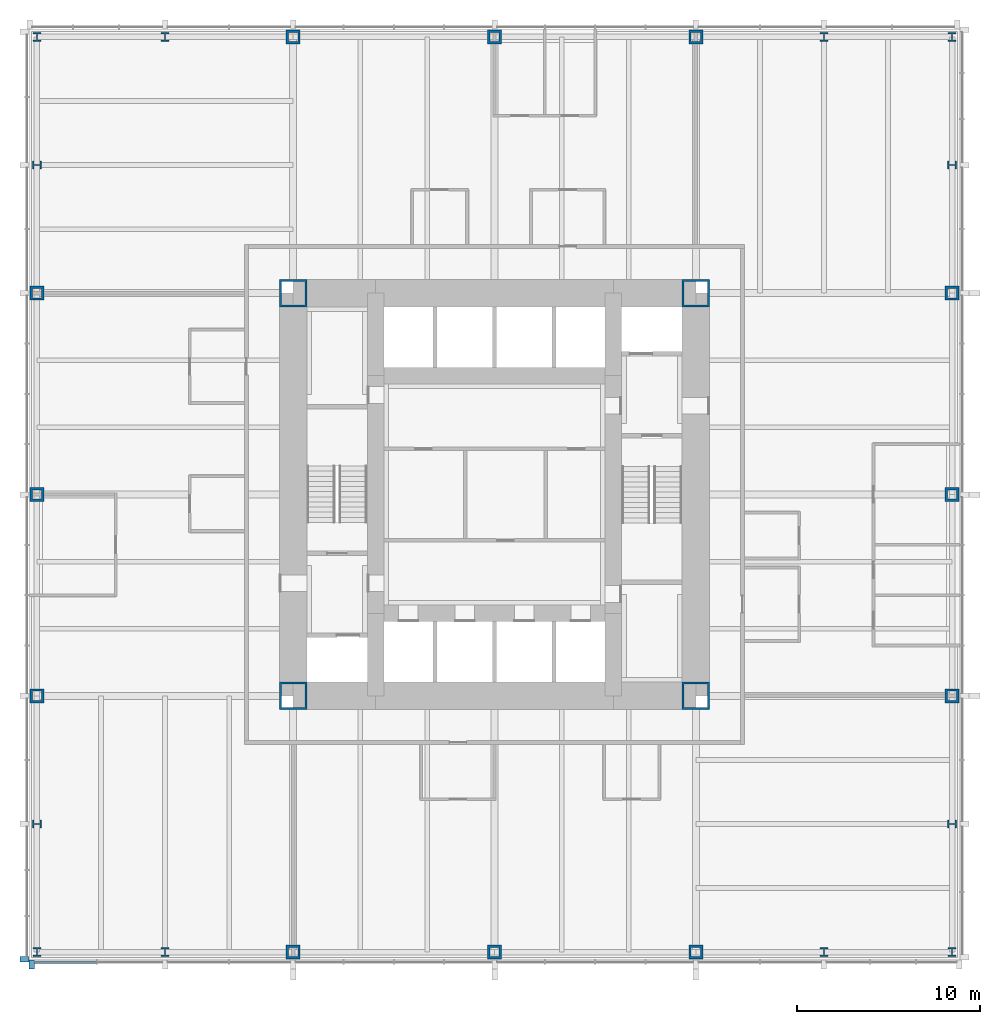
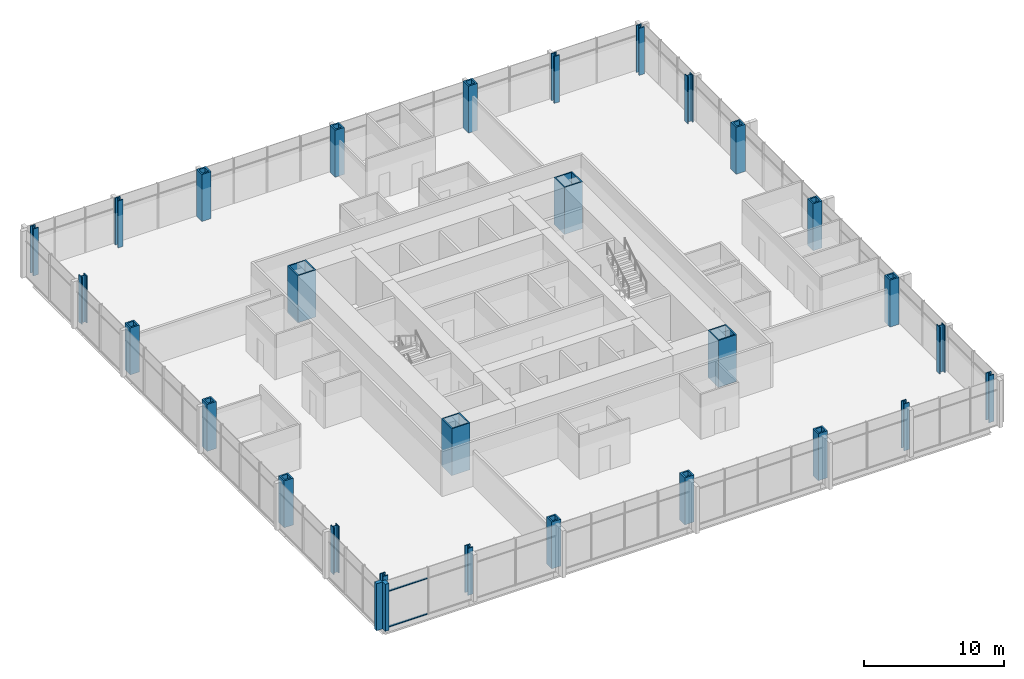
# One storey, part 1 of 12: 28 columns, 4 members, 2 elements without a shape of their own.
"""IFC4 building model written with IfcOpenShell, lengths in metres."""

from ifc_helpers import new_model, si_unit, direction, frame, origin, origin_2d, place, context, subcontext, project, spatial, rectangle, hollow_rectangle, i_section, extrude, material, material_profile, profile_set, type_object, element, aggregate, save


model = new_model("IFC4")

# Units and contexts
model_context = context("Model", 3, precision=1e-05, world=origin(), true_north=direction((0.0, 1.0)))
body_context = subcontext(model_context, "Body", "Model", "MODEL_VIEW")
ifc_project = project(units=[si_unit("LENGTHUNIT", "METRE"), si_unit("AREAUNIT", "SQUARE_METRE"), si_unit("VOLUMEUNIT", "CUBIC_METRE"), si_unit("PLANEANGLEUNIT", "RADIAN"), si_unit("MASSUNIT", "GRAM", prefix="KILO")], contexts=[model_context])

# Site, building, storey
site_placement = place(None, origin())
site = spatial("IfcSite", under=ifc_project, at=site_placement, CompositionType="ELEMENT")
building_placement = place(site_placement, origin())
building = spatial("IfcBuilding", under=site, at=building_placement, Name="Trevanion Tower", CompositionType="ELEMENT")
storey_placement = place(building_placement, frame((0.0, 0.0, 28.300048828125)))
storey = spatial("IfcBuildingStorey", under=building, at=storey_placement, Name="L06", CompositionType="ELEMENT", Elevation=28.300048828125)

# Columns
ifc_material_1 = material(Name="Steel ASTM A588 Grade 50", Category="steel")
ifc_material_profile_1 = material_profile(ifc_material_1, hollow_rectangle(XDim=0.761962890625, YDim=0.761962890625, WallThickness=0.126953125, at=origin_2d()), Name="BOX30X30X5")
ifc_profile_set_1 = profile_set([ifc_material_profile_1], Name="Steel ASTM A588 Grade 50")
column_type_1 = type_object("IfcColumnType", Name="C1 BOX30X30X5", PredefinedType="COLUMN", material=ifc_profile_set_1)
for number, where, z_axis, x_axis, name in (
    (1, (-25.0, 0.0, 0.0), (0.0, 0.0, 1.0), (0.0, 1.0, 0.0), "C1 3/H L06"),
    (2, (-25.0, -11.0, 0.0), (0.0, 0.0, 1.0), (0.0, 1.0, 0.0), "C1 3/F L06"),
    (3, (-11.0, -25.0, 0.0), (0.0, 0.0, 1.0), (1.0, 0.0, 0.0), "C1 8/A L06"),
    (4, (0.0, -25.0, 0.0), (0.0, 0.0, 1.0), (1.0, 0.0, 0.0), "C1 10/A L06"),
    (5, (11.0, -25.0, 0.0), (0.0, 0.0, 1.0), (1.0, 0.0, 0.0), "C1 12/A L06"),
    (6, (25.0, -11.0, 0.0), (0.0, 0.0, 1.0), (0.0, 1.0, 0.0), "C1 17/F L06"),
    (7, (25.0, 0.0, 0.0), (0.0, 0.0, 1.0), (0.0, 1.0, 0.0), "C1 17/H L06"),
    (8, (25.0, 11.0, 0.0), (0.0, 0.0, 1.0), (0.0, 1.0, 0.0), "C1 17/K L06"),
    (9, (11.0, 25.0, 0.0), (0.0, 0.0, 1.0), (1.0, 0.0, 0.0), "C1 12/Q L06"),
    (10, (0.0, 25.0, 0.0), (0.0, 0.0, 1.0), (1.0, 0.0, 0.0), "C1 10/Q L06"),
    (11, (-11.0, 25.0, 0.0), (0.0, 0.0, 1.0), (1.0, 0.0, 0.0), "C1 8/Q L06"),
    (12, (-25.0, 11.0, 0.0), (0.0, 0.0, 1.0), (0.0, 1.0, 0.0), "C1 3/K L06"),
):
    element("IfcColumn", number, at=place(storey_placement, frame(where, z_axis=z_axis, x_axis=x_axis)), inside=storey, type_object=column_type_1, Name=name, PredefinedType="COLUMN", context=body_context, shape_type="SweptSolid", body=[
        extrude(hollow_rectangle(XDim=0.761962890625, YDim=0.761962890625, WallThickness=0.126953125, at=origin_2d()), origin(), (0.0, 0.0, 1.0), 4.099853515625),
    ])
ifc_material_2 = material(Name="Steel ASTM A913 Grade 65", Category="steel")
ifc_material_profile_2 = material_profile(ifc_material_2, i_section(OverallWidth=0.4267578125, OverallDepth=0.482666015625, WebThickness=0.05126953125, FlangeThickness=0.08154296875, at=origin_2d()), Name="W14X455")
ifc_profile_set_2 = profile_set([ifc_material_profile_2], Name="Steel ASTM A913 Grade 65")
column_type_2 = type_object("IfcColumnType", Name="C2 W14X455", PredefinedType="COLUMN", material=ifc_profile_set_2)
for number, where, z_axis, x_axis, name in (
    (13, (-25.0, -18.0, 0.0), (0.0, 0.0, 1.0), (0.0, 1.0, 0.0), "C2 3/D L06"),
    (14, (-25.0, -25.0, 0.0), (0.0, 0.0, 1.0), (1.0, 0.0, 0.0), "C2 3/A L06"),
    (15, (-18.0, -25.0, 0.0), (0.0, 0.0, 1.0), (1.0, 0.0, 0.0), "C2 6/A L06"),
    (16, (18.0, -25.0, 0.0), (0.0, 0.0, 1.0), (1.0, 0.0, 0.0), "C2 14/A L06"),
    (17, (25.0, -25.0, 0.0), (0.0, 0.0, 1.0), (1.0, 0.0, 0.0), "C2 17/A L06"),
    (18, (25.0, -18.0, 0.0), (0.0, 0.0, 1.0), (0.0, 1.0, 0.0), "C2 17/D L06"),
    (19, (25.0, 18.0, 0.0), (0.0, 0.0, 1.0), (0.0, 1.0, 0.0), "C2 17/M L06"),
    (20, (25.0, 25.0, 0.0), (0.0, 0.0, 1.0), (1.0, 0.0, 0.0), "C2 17/Q L06"),
    (21, (18.0, 25.0, 0.0), (0.0, 0.0, 1.0), (1.0, 0.0, 0.0), "C2 14/Q L06"),
    (22, (-18.0, 25.0, 0.0), (0.0, 0.0, 1.0), (1.0, 0.0, 0.0), "C2 6/Q L06"),
    (23, (-25.0, 25.0, 0.0), (0.0, 0.0, 1.0), (1.0, 0.0, 0.0), "C2 3/Q L06"),
    (24, (-25.0, 18.0, 0.0), (0.0, 0.0, 1.0), (0.0, 1.0, 0.0), "C2 3/M L06"),
):
    element("IfcColumn", number, at=place(storey_placement, frame(where, z_axis=z_axis, x_axis=x_axis)), inside=storey, type_object=column_type_2, Name=name, PredefinedType="COLUMN", context=body_context, shape_type="SweptSolid", body=[
        extrude(i_section(OverallWidth=0.4267578125, OverallDepth=0.482666015625, WebThickness=0.05126953125, FlangeThickness=0.08154296875, at=origin_2d()), origin(), (0.0, 0.0, 1.0), 4.099853515625),
    ])
ifc_material_3 = material(Name="Steel ASTM A572 Grade 50", Category="steel")
ifc_material_profile_3 = material_profile(ifc_material_3, hollow_rectangle(XDim=1.49853515625, YDim=1.49853515625, WallThickness=0.1015625, at=origin_2d()), Name="BOX59X59X4")
ifc_profile_set_3 = profile_set([ifc_material_profile_3], Name="Steel ASTM A572 Grade 50")
column_type_3 = type_object("IfcColumnType", Name="CB1 BOX59X59X4", PredefinedType="COLUMN", material=ifc_profile_set_3)
for number, where, z_axis, x_axis, name in (
    (25, (11.0, 11.0, 0.0), (0.0, 0.0, 1.0), (1.0, 0.0, 0.0), "CB1 NE L06"),
    (26, (-11.0, 11.0, 0.0), (0.0, 0.0, 1.0), (1.0, 0.0, 0.0), "CB1 NW L06"),
    (27, (-11.0, -11.0, 0.0), (0.0, 0.0, 1.0), (1.0, 0.0, 0.0), "CB1 SW L06"),
    (28, (11.0, -11.0, 0.0), (0.0, 0.0, 1.0), (1.0, 0.0, 0.0), "CB1 SE L06"),
):
    element("IfcColumn", number, at=place(storey_placement, frame(where, z_axis=z_axis, x_axis=x_axis)), inside=storey, type_object=column_type_3, Name=name, PredefinedType="COLUMN", context=body_context, shape_type="SweptSolid", body=[
        extrude(hollow_rectangle(XDim=1.49853515625, YDim=1.49853515625, WallThickness=0.1015625, at=origin_2d()), origin(), (0.0, 0.0, 1.0), 4.099853515625),
    ])

# Curtain wall, member
ifc_material_4 = material(Name="Aluminium and glass", Category="aluminium")
curtain_wall_type = type_object("IfcCurtainWallType", Name="CW1 curtain wall", PredefinedType="USERDEFINED", material=ifc_material_4)
curtain_wall_1_placement = place(storey_placement, origin())
curtain_wall_1 = element("IfcCurtainWall", 29, at=curtain_wall_1_placement, inside=storey, type_object=curtain_wall_type, Name="CW1 L06 2", ObjectType="UNITISED CURTAIN WALL", PredefinedType="USERDEFINED")
ifc_material_5 = material(Name="Aluminium extrusion, anodised bronze", Category="aluminium")
ifc_material_profile_4 = material_profile(ifc_material_5, rectangle(XDim=0.300048828125, YDim=0.5, at=origin_2d()), Name="CW1 pier mullion")
ifc_profile_set_4 = profile_set([ifc_material_profile_4], Name="Aluminium extrusion, anodised bronze")
member_type_1 = type_object("IfcMemberType", Name="CW1 pier mullion", PredefinedType="MULLION", material=ifc_profile_set_4)
member_1_placement = place(storey_placement, frame((-25.675048828125, -25.39990234375, -0.18994140625), z_axis=(0.0, 0.0, 1.0), x_axis=(0.0, -1.0, 0.0)))
member_1 = element("IfcMember", 30, at=member_1_placement, type_object=member_type_1, Name="CW1 pier mullion 18", PredefinedType="MULLION", context=body_context, shape_type="SweptSolid", body=[
    extrude(rectangle(XDim=0.300048828125, YDim=0.5, at=origin_2d()), origin(), (0.0, 0.0, 1.0), 4.099853515625),
])
aggregate(curtain_wall_1, [member_1])

# Curtain wall, members
curtain_wall_2_placement = place(storey_placement, origin())
curtain_wall_2 = element("IfcCurtainWall", 31, at=curtain_wall_2_placement, inside=storey, type_object=curtain_wall_type, Name="CW1 L06 3", ObjectType="UNITISED CURTAIN WALL", PredefinedType="USERDEFINED")
member_2_placement = place(storey_placement, frame((-25.27001953125, -25.675048828125, -0.18994140625), z_axis=(0.0, 0.0, 1.0), x_axis=(1.0, 0.0, 0.0)))
member_2 = element("IfcMember", 32, at=member_2_placement, type_object=member_type_1, Name="CW1 pier mullion 1", PredefinedType="MULLION", context=body_context, shape_type="SweptSolid", body=[
    extrude(rectangle(XDim=0.300048828125, YDim=0.5, at=origin_2d()), origin(), (0.0, 0.0, 1.0), 4.099853515625),
])
ifc_material_6 = material(Name="Aluminium extrusion, anodised bronze", Category="aluminium")
ifc_material_profile_5 = material_profile(ifc_material_6, rectangle(XDim=0.14990234375, YDim=0.074951171875, at=origin_2d()), Name="CW1 transom")
ifc_profile_set_5 = profile_set([ifc_material_profile_5], Name="Aluminium extrusion, anodised bronze")
member_type_2 = type_object("IfcMemberType", Name="CW1 transom", PredefinedType="USERDEFINED", material=ifc_profile_set_5)
member_3_placement = place(storey_placement, frame((-25.1201171875, -25.550048828125, -0.152587890625), z_axis=(1.0, 0.0, 0.0), x_axis=(0.0, 1.0, 0.0)))
member_3 = element("IfcMember", 33, at=member_3_placement, type_object=member_type_2, Name="CW1 transom 1.1", ObjectType="TRANSOM", PredefinedType="USERDEFINED", context=body_context, shape_type="SweptSolid", body=[
    extrude(rectangle(XDim=0.14990234375, YDim=0.074951171875, at=origin_2d()), origin(), (0.0, 0.0, 1.0), 3.37255859375),
])
member_4_placement = place(storey_placement, frame((-25.1201171875, -25.550048828125, 2.9599609375), z_axis=(1.0, 0.0, 0.0), x_axis=(0.0, 1.0, 0.0)))
member_4 = element("IfcMember", 34, at=member_4_placement, type_object=member_type_2, Name="CW1 transom 1.2", ObjectType="TRANSOM", PredefinedType="USERDEFINED", context=body_context, shape_type="SweptSolid", body=[
    extrude(rectangle(XDim=0.14990234375, YDim=0.074951171875, at=origin_2d()), origin(), (0.0, 0.0, 1.0), 3.37255859375),
])
aggregate(curtain_wall_2, [member_2, member_3, member_4])

save(model, "model.ifc")
